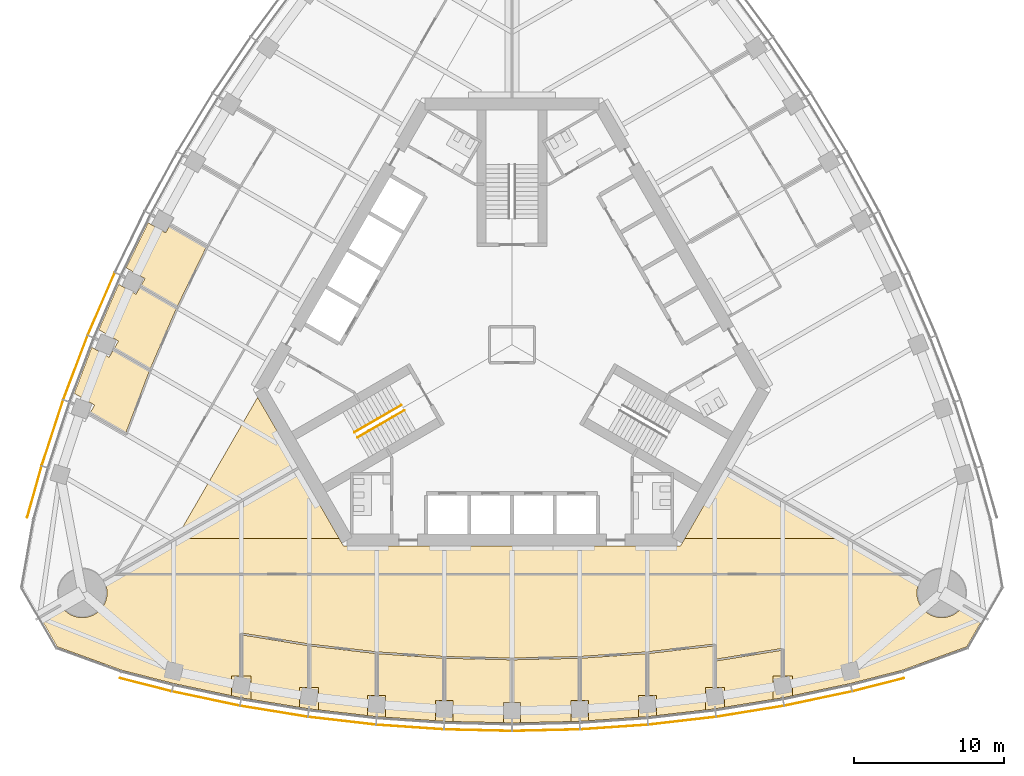
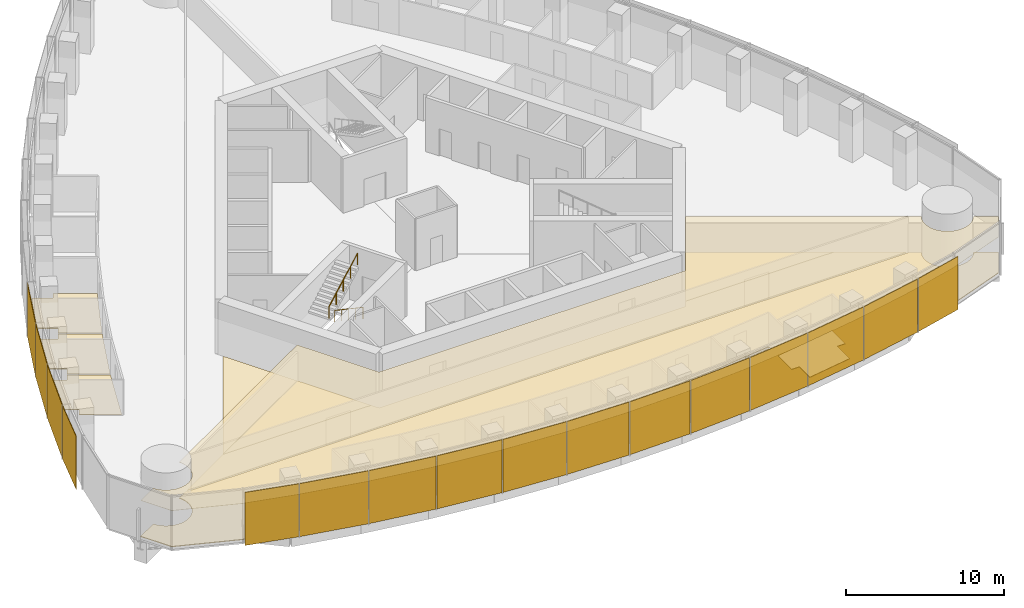
# One storey, part 16 of 20: 17 coverings, 16 shading devices, 2 railings.
"""IFC4 building model written with IfcOpenShell, lengths in metres."""

from ifc_helpers import new_model, si_unit, direction, frame, origin, origin_2d, place, context, subcontext, project, spatial, polyline, rectangle, circle, outline, extrude, material, layer, layer_set, type_object, element, save


model = new_model("IFC4")

# Units and contexts
model_context = context("Model", 3, precision=1e-05, world=origin(), true_north=direction((0.0, 1.0)))
body_context = subcontext(model_context, "Body", "Model", "MODEL_VIEW")
ifc_project = project(units=[si_unit("LENGTHUNIT", "METRE"), si_unit("AREAUNIT", "SQUARE_METRE"), si_unit("VOLUMEUNIT", "CUBIC_METRE"), si_unit("PLANEANGLEUNIT", "RADIAN"), si_unit("MASSUNIT", "GRAM", prefix="KILO")], contexts=[model_context])

# Site, building, storey
site_placement = place(None, origin())
site = spatial("IfcSite", under=ifc_project, at=site_placement, CompositionType="ELEMENT")
building_placement = place(site_placement, origin())
building = spatial("IfcBuilding", under=site, at=building_placement, Name="Trefoil Bronze Tower", CompositionType="ELEMENT")
storey_placement = place(building_placement, frame((0.0, 0.0, 219.10009765625)))
storey = spatial("IfcBuildingStorey", under=building, at=storey_placement, Name="L50", CompositionType="ELEMENT", Elevation=219.10009765625)

# Shading devices
ifc_material_1 = material(Name="Perforated bronze sheet", Category="bronze")
ifc_layer_1 = layer(ifc_material_1, 0.0400390625)
ifc_layer_set_1 = layer_set([ifc_layer_1], Name="Bronze solar screen panel")
shading_device_type = type_object("IfcShadingDeviceType", Name="Bronze solar screen panel", PredefinedType="SHUTTER", material=ifc_layer_set_1)
shading_device_1_placement = place(storey_placement, frame((-24.360107421875, -22.614501953125, 0.0498046875), z_axis=(0.0, 0.0, 1.0), x_axis=(0.968934035393, -0.247319297786, 0.0)))
element("IfcShadingDevice", 1, at=shading_device_1_placement, inside=storey, type_object=shading_device_type, Name="Solar screen CW-A L50 F1 bay 1", PredefinedType="SHUTTER", context=body_context, shape_type="SweptSolid", body=[
    extrude(rectangle(XDim=3.53369140625, YDim=0.0400390625, at=origin_2d()), origin(), (0.0, 0.0, 1.0), 4.10009765625),
])
shading_device_2_placement = place(storey_placement, frame((-20.361572265625, -23.535888671875, 0.0498046875), z_axis=(0.0, 0.0, 1.0), x_axis=(0.978394335897, -0.20674748725, 0.0)))
element("IfcShadingDevice", 2, at=shading_device_2_placement, inside=storey, type_object=shading_device_type, Name="Solar screen CW-A L50 F1 bay 2", PredefinedType="SHUTTER", context=body_context, shape_type="SweptSolid", body=[
    extrude(rectangle(XDim=4.5693359375, YDim=0.0400390625, at=origin_2d()), origin(), (0.0, 0.0, 1.0), 4.10009765625),
])
shading_device_3_placement = place(storey_placement, frame((-15.8369140625, -24.382568359375, 0.0498046875), z_axis=(0.0, 0.0, 1.0), x_axis=(0.986986549528, -0.160802832848, 0.0)))
element("IfcShadingDevice", 3, at=shading_device_3_placement, inside=storey, type_object=shading_device_type, Name="Solar screen CW-A L50 F1 bay 3", PredefinedType="SHUTTER", context=body_context, shape_type="SweptSolid", body=[
    extrude(rectangle(XDim=4.529296875, YDim=0.0400390625, at=origin_2d()), origin(), (0.0, 0.0, 1.0), 4.10009765625),
])
shading_device_4_placement = place(storey_placement, frame((-11.31201171875, -25.0126953125, 0.0498046875), z_axis=(0.0, 0.0, 1.0), x_axis=(0.993381831741, -0.114858767043, 0.0)))
element("IfcShadingDevice", 4, at=shading_device_4_placement, inside=storey, type_object=shading_device_type, Name="Solar screen CW-A L50 F1 bay 4", PredefinedType="SHUTTER", context=body_context, shape_type="SweptSolid", body=[
    extrude(rectangle(XDim=4.5, YDim=0.0400390625, at=origin_2d()), origin(), (0.0, 0.0, 1.0), 4.10009765625),
])
shading_device_5_placement = place(storey_placement, frame((-6.787109375, -25.430419921875, 0.0498046875), z_axis=(0.0, 0.0, 1.0), x_axis=(0.99762252804, -0.068915103905, 0.0)))
element("IfcShadingDevice", 5, at=shading_device_5_placement, inside=storey, type_object=shading_device_type, Name="Solar screen CW-A L50 F1 bay 5", PredefinedType="SHUTTER", context=body_context, shape_type="SweptSolid", body=[
    extrude(rectangle(XDim=4.480712890625, YDim=0.0400390625, at=origin_2d()), origin(), (0.0, 0.0, 1.0), 4.10009765625),
])
for number, where, z_axis, x_axis, name in (
    (6, (-2.262451171875, -25.638671875, 0.0498046875), (0.0, 0.0, 1.0), (0.999736116243, -0.022971675577, 0.0), "Solar screen CW-A L50 F1 bay 6"),
    (7, (2.262451171875, -25.638671875, 0.0498046875), (0.0, 0.0, 1.0), (0.999736116243, 0.022971675577, 0.0), "Solar screen CW-A L50 F1 bay 7"),
):
    element("IfcShadingDevice", number, at=place(storey_placement, frame(where, z_axis=z_axis, x_axis=x_axis)), inside=storey, type_object=shading_device_type, Name=name, PredefinedType="SHUTTER", context=body_context, shape_type="SweptSolid", body=[
        extrude(rectangle(XDim=4.47119140625, YDim=0.0400390625, at=origin_2d()), origin(), (0.0, 0.0, 1.0), 4.10009765625),
    ])
shading_device_6_placement = place(storey_placement, frame((6.787109375, -25.430419921875, 0.0498046875), z_axis=(0.0, 0.0, 1.0), x_axis=(0.99762252804, 0.068915103905, 0.0)))
element("IfcShadingDevice", 8, at=shading_device_6_placement, inside=storey, type_object=shading_device_type, Name="Solar screen CW-A L50 F1 bay 8", PredefinedType="SHUTTER", context=body_context, shape_type="SweptSolid", body=[
    extrude(rectangle(XDim=4.480712890625, YDim=0.0400390625, at=origin_2d()), origin(), (0.0, 0.0, 1.0), 4.10009765625),
])
shading_device_7_placement = place(storey_placement, frame((11.31201171875, -25.0126953125, 0.0498046875), z_axis=(0.0, 0.0, 1.0), x_axis=(0.993381831741, 0.114858767043, 0.0)))
element("IfcShadingDevice", 9, at=shading_device_7_placement, inside=storey, type_object=shading_device_type, Name="Solar screen CW-A L50 F1 bay 9", PredefinedType="SHUTTER", context=body_context, shape_type="SweptSolid", body=[
    extrude(rectangle(XDim=4.5, YDim=0.0400390625, at=origin_2d()), origin(), (0.0, 0.0, 1.0), 4.10009765625),
])
shading_device_8_placement = place(storey_placement, frame((15.8369140625, -24.382568359375, 0.0498046875), z_axis=(0.0, 0.0, 1.0), x_axis=(0.986986549528, 0.160802832848, 0.0)))
element("IfcShadingDevice", 10, at=shading_device_8_placement, inside=storey, type_object=shading_device_type, Name="Solar screen CW-A L50 F1 bay 10", PredefinedType="SHUTTER", context=body_context, shape_type="SweptSolid", body=[
    extrude(rectangle(XDim=4.529296875, YDim=0.0400390625, at=origin_2d()), origin(), (0.0, 0.0, 1.0), 4.10009765625),
])
shading_device_9_placement = place(storey_placement, frame((20.361572265625, -23.535888671875, 0.0498046875), z_axis=(0.0, 0.0, 1.0), x_axis=(0.978394335897, 0.20674748725, 0.0)))
element("IfcShadingDevice", 11, at=shading_device_9_placement, inside=storey, type_object=shading_device_type, Name="Solar screen CW-A L50 F1 bay 11", PredefinedType="SHUTTER", context=body_context, shape_type="SweptSolid", body=[
    extrude(rectangle(XDim=4.5693359375, YDim=0.0400390625, at=origin_2d()), origin(), (0.0, 0.0, 1.0), 4.10009765625),
])
shading_device_10_placement = place(storey_placement, frame((24.360107421875, -22.614501953125, 0.0498046875), z_axis=(0.0, 0.0, 1.0), x_axis=(0.968934035393, 0.247319297786, 0.0)))
element("IfcShadingDevice", 12, at=shading_device_10_placement, inside=storey, type_object=shading_device_type, Name="Solar screen CW-A L50 F1 bay 12", PredefinedType="SHUTTER", context=body_context, shape_type="SweptSolid", body=[
    extrude(rectangle(XDim=3.53369140625, YDim=0.0400390625, at=origin_2d()), origin(), (0.0, 0.0, 1.0), 4.10009765625),
])
shading_device_11_placement = place(storey_placement, frame((-27.317626953125, 2.709716796875, 0.0498046875), z_axis=(0.0, 0.0, 1.0), x_axis=(-0.397220305764, -0.917723285467, 0.0)))
element("IfcShadingDevice", 13, at=shading_device_11_placement, inside=storey, type_object=shading_device_type, Name="Solar screen CW-A L50 F3 bay 9", PredefinedType="SHUTTER", context=body_context, shape_type="SweptSolid", body=[
    extrude(rectangle(XDim=4.5, YDim=0.0400390625, at=origin_2d()), origin(), (0.0, 0.0, 1.0), 4.10009765625),
])
shading_device_12_placement = place(storey_placement, frame((-29.0341796875, -1.52392578125, 0.0498046875), z_axis=(0.0, 0.0, 1.0), x_axis=(-0.354233936517, -0.935156841508, 0.0)))
element("IfcShadingDevice", 14, at=shading_device_12_placement, inside=storey, type_object=shading_device_type, Name="Solar screen CW-A L50 F3 bay 10", PredefinedType="SHUTTER", context=body_context, shape_type="SweptSolid", body=[
    extrude(rectangle(XDim=4.529296875, YDim=0.0400390625, at=origin_2d()), origin(), (0.0, 0.0, 1.0), 4.10009765625),
])
shading_device_13_placement = place(storey_placement, frame((-30.5634765625, -5.86572265625, 0.0498046875), z_axis=(0.0, 0.0, 1.0), x_axis=(-0.310148591821, -0.950688093431, 0.0)))
element("IfcShadingDevice", 15, at=shading_device_13_placement, inside=storey, type_object=shading_device_type, Name="Solar screen CW-A L50 F3 bay 11", PredefinedType="SHUTTER", context=body_context, shape_type="SweptSolid", body=[
    extrude(rectangle(XDim=4.5693359375, YDim=0.0400390625, at=origin_2d()), origin(), (0.0, 0.0, 1.0), 4.10009765625),
])
shading_device_14_placement = place(storey_placement, frame((-31.764892578125, -9.7890625, 0.0498046875), z_axis=(0.0, 0.0, 1.0), x_axis=(-0.270282222968, -0.962781138134, 0.0)))
element("IfcShadingDevice", 16, at=shading_device_14_placement, inside=storey, type_object=shading_device_type, Name="Solar screen CW-A L50 F3 bay 12", PredefinedType="SHUTTER", context=body_context, shape_type="SweptSolid", body=[
    extrude(rectangle(XDim=3.53369140625, YDim=0.0400390625, at=origin_2d()), origin(), (0.0, 0.0, 1.0), 4.10009765625),
])

# Railings
ifc_material_2 = material(Name="Steel handrail", Category="steel")
railing_type = type_object("IfcRailingType", Name="Handrail 900", PredefinedType="HANDRAIL", material=ifc_material_2)
railing_1_placement = place(storey_placement, frame((-7.166015625, -4.3681640625, 0.161376953125)))
element("IfcRailing", 17, at=railing_1_placement, inside=storey, type_object=railing_type, Name="Handrail ST3 flight 1 L50", PredefinedType="HANDRAIL", context=body_context, shape_type="SweptSolid", body=[
    extrude(circle(Radius=0.02392578125, at=origin_2d()), frame((0.0, 0.0, 0.8759765625), z_axis=(-0.76250339821, -0.440245697338, 0.474101564745), x_axis=(0.500012057535, -0.866018442252, 0.0)), (0.0, 0.0, 1.0), 4.088623046875),
    extrude(circle(Radius=0.02099609375, at=origin_2d()), origin(), (0.0, 0.0, 1.0), 0.851806640625),
    extrude(circle(Radius=0.02099609375, at=origin_2d()), frame((-0.779296875, -0.449951171875, 0.484619140625)), (0.0, 0.0, 1.0), 0.851806640625),
    extrude(circle(Radius=0.02099609375, at=origin_2d()), frame((-1.558837890625, -0.89990234375, 0.96923828125)), (0.0, 0.0, 1.0), 0.851806640625),
    extrude(circle(Radius=0.02099609375, at=origin_2d()), frame((-2.33837890625, -1.35009765625, 1.453857421875)), (0.0, 0.0, 1.0), 0.851806640625),
    extrude(circle(Radius=0.02099609375, at=origin_2d()), frame((-3.11767578125, -1.800048828125, 1.9384765625)), (0.0, 0.0, 1.0), 0.851806640625),
])
railing_2_placement = place(storey_placement, frame((-10.483642578125, -5.82177734375, 2.261474609375)))
element("IfcRailing", 18, at=railing_2_placement, inside=storey, type_object=railing_type, Name="Handrail ST3 flight 2 L50", PredefinedType="HANDRAIL", context=body_context, shape_type="SweptSolid", body=[
    extrude(circle(Radius=0.02392578125, at=origin_2d()), frame((0.0, 0.0, 0.8759765625), z_axis=(0.76250339821, 0.440245697338, 0.474101564745), x_axis=(-0.500012057535, 0.866018442252, 0.0)), (0.0, 0.0, 1.0), 4.088623046875),
    extrude(circle(Radius=0.02099609375, at=origin_2d()), origin(), (0.0, 0.0, 1.0), 0.851806640625),
    extrude(circle(Radius=0.02099609375, at=origin_2d()), frame((0.779296875, 0.449951171875, 0.484619140625)), (0.0, 0.0, 1.0), 0.851806640625),
    extrude(circle(Radius=0.02099609375, at=origin_2d()), frame((1.558837890625, 0.89990234375, 0.96923828125)), (0.0, 0.0, 1.0), 0.851806640625),
    extrude(circle(Radius=0.02099609375, at=origin_2d()), frame((2.33837890625, 1.35009765625, 1.453857421875)), (0.0, 0.0, 1.0), 0.851806640625),
    extrude(circle(Radius=0.02099609375, at=origin_2d()), frame((3.11767578125, 1.800048828125, 1.9384765625)), (0.0, 0.0, 1.0), 0.851806640625),
])

# Coverings
ifc_material_3 = material(Name="Acoustic ceiling panels", Category="mineral fibre")
ifc_layer_2 = layer(ifc_material_3, 0.02001953125)
ifc_layer_set_2 = layer_set([ifc_layer_2], Name="Office ceiling 20")
covering_type_1 = type_object("IfcCoveringType", Name="Office ceiling 20", PredefinedType="CEILING", material=ifc_layer_set_2)
covering_1_placement = place(storey_placement, frame((0.0, 0.0, 2.89990234375)))
element("IfcCovering", 19, at=covering_1_placement, inside=storey, type_object=covering_type_1, Name="Ceiling L50 Open-plan office F1", PredefinedType="CEILING", context=body_context, shape_type="SweptSolid", body=[
    extrude(outline(polyline([(-29.95068359375, -17.416748046875), (-29.904052734375, -17.48291015625), (-29.854248046875, -17.546630859375), (-29.801513671875, -17.608154296875), (-29.74560546875, -17.666748046875), (-29.68701171875, -17.72265625), (-29.62548828125, -17.775390625), (-29.561767578125, -17.8251953125), (-29.49560546875, -17.871826171875), (-29.427001953125, -17.915283203125), (-29.356689453125, -17.955078125), (-29.2841796875, -17.99169921875), (-29.210205078125, -18.0244140625), (-29.134765625, -18.053466796875), (-29.057861328125, -18.0791015625), (-28.979736328125, -18.1005859375), (-28.900634765625, -18.118408203125), (-28.82080078125, -18.132080078125), (-28.740478515625, -18.14208984375), (-28.659912109375, -18.14794921875), (-28.578857421875, -18.14990234375), (-28.497802734375, -18.14794921875), (-28.4169921875, -18.14208984375), (-28.336669921875, -18.132080078125), (-28.2568359375, -18.118408203125), (-28.177978515625, -18.1005859375), (-28.099853515625, -18.0791015625), (-28.02294921875, -18.053466796875), (-27.947509765625, -18.0244140625), (-27.873291015625, -17.99169921875), (-27.801025390625, -17.955078125), (-27.730712890625, -17.915283203125), (-27.662109375, -17.871826171875), (-27.595947265625, -17.8251953125), (-27.531982421875, -17.775390625), (-27.470703125, -17.72265625), (-27.412109375, -17.666748046875), (-27.356201171875, -17.608154296875), (-27.303466796875, -17.546630859375), (-27.25341796875, -17.48291015625), (-27.206787109375, -17.416748046875), (-27.16357421875, -17.348388671875), (-27.123779296875, -17.27783203125), (-27.08740234375, -17.20556640625), (-27.054443359375, -17.13134765625), (-27.025390625, -17.055908203125), (-27.0, -16.97900390625), (-26.978271484375, -16.90087890625), (-26.96044921875, -16.822021484375), (-26.94677734375, -16.7421875), (-26.936767578125, -16.66162109375), (-26.930908203125, -16.5810546875), (-26.9287109375, -16.5), (-26.930908203125, -16.4189453125), (-26.936767578125, -16.33837890625), (-26.94677734375, -16.2578125), (-26.96044921875, -16.177978515625), (-26.978271484375, -16.09912109375), (-27.0, -16.02099609375), (-27.025390625, -15.944091796875), (-27.054443359375, -15.86865234375), (-27.08740234375, -15.79443359375), (-27.123779296875, -15.72216796875), (-27.14453125, -15.685546875), (-14.19970703125, -8.205322265625), (-11.20068359375, -13.39990234375), (11.20068359375, -13.39990234375), (14.19970703125, -8.205322265625), (27.14453125, -15.685546875), (27.123779296875, -15.72216796875), (27.08740234375, -15.79443359375), (27.054443359375, -15.86865234375), (27.025390625, -15.944091796875), (27.0, -16.02099609375), (26.978271484375, -16.09912109375), (26.96044921875, -16.177978515625), (26.94677734375, -16.2578125), (26.936767578125, -16.33837890625), (26.930908203125, -16.4189453125), (26.9287109375, -16.5), (26.930908203125, -16.5810546875), (26.936767578125, -16.66162109375), (26.94677734375, -16.7421875), (26.96044921875, -16.822021484375), (26.978271484375, -16.90087890625), (27.0, -16.97900390625), (27.025390625, -17.055908203125), (27.054443359375, -17.13134765625), (27.08740234375, -17.20556640625), (27.123779296875, -17.27783203125), (27.16357421875, -17.348388671875), (27.206787109375, -17.416748046875), (27.25341796875, -17.48291015625), (27.303466796875, -17.546630859375), (27.356201171875, -17.608154296875), (27.412109375, -17.666748046875), (27.470703125, -17.72265625), (27.531982421875, -17.775390625), (27.595947265625, -17.8251953125), (27.662109375, -17.871826171875), (27.730712890625, -17.915283203125), (27.801025390625, -17.955078125), (27.873291015625, -17.99169921875), (27.947509765625, -18.0244140625), (28.02294921875, -18.053466796875), (28.099853515625, -18.0791015625), (28.177978515625, -18.1005859375), (28.2568359375, -18.118408203125), (28.336669921875, -18.132080078125), (28.4169921875, -18.14208984375), (28.497802734375, -18.14794921875), (28.578857421875, -18.14990234375), (28.659912109375, -18.14794921875), (28.740478515625, -18.14208984375), (28.82080078125, -18.132080078125), (28.900634765625, -18.118408203125), (28.979736328125, -18.1005859375), (29.057861328125, -18.0791015625), (29.134765625, -18.053466796875), (29.210205078125, -18.0244140625), (29.2841796875, -17.99169921875), (29.356689453125, -17.955078125), (29.427001953125, -17.915283203125), (29.49560546875, -17.871826171875), (29.561767578125, -17.8251953125), (29.62548828125, -17.775390625), (29.68701171875, -17.72265625), (29.74560546875, -17.666748046875), (29.801513671875, -17.608154296875), (29.854248046875, -17.546630859375), (29.904052734375, -17.48291015625), (29.95068359375, -17.416748046875), (30.0009765625, -17.336181640625), (31.37158203125, -18.1279296875), (30.23828125, -20.0908203125), (25.952880859375, -21.650634765625), (22.5, -22.531982421875), (18.0, -23.48291015625), (13.5, -24.216064453125), (9.0, -24.736328125), (4.5, -25.047119140625), (0.0, -25.150634765625), (-4.5, -25.047119140625), (-9.0, -24.736328125), (-13.5, -24.216064453125), (-18.0, -23.48291015625), (-22.5, -22.531982421875), (-25.952880859375, -21.650634765625), (-30.23828125, -20.0908203125), (-31.37158203125, -18.1279296875), (-30.0009765625, -17.336181640625), (-29.95068359375, -17.416748046875)])), origin(), (0.0, 0.0, 1.0), 0.02001953125),
])
ifc_material_4 = material(Name="Raised access floor panels", Category="steel")
ifc_layer_3 = layer(ifc_material_4, 0.050048828125)
ifc_layer_set_3 = layer_set([ifc_layer_3], Name="Raised access floor 150")
covering_type_2 = type_object("IfcCoveringType", Name="Raised access floor 150", PredefinedType="FLOORING", material=ifc_layer_set_3)
covering_2_placement = place(storey_placement, frame((0.0, 0.0, 0.099853515625)))
element("IfcCovering", 20, at=covering_2_placement, inside=storey, type_object=covering_type_2, Name="Raised floor L50 Office F1", PredefinedType="FLOORING", context=body_context, shape_type="SweptSolid", body=[
    extrude(outline(polyline([(-17.93994140625, -22.026123046875), (-17.93994140625, -19.303466796875), (-13.56005859375, -20.01708984375), (-13.56005859375, -22.78662109375), (-14.12158203125, -22.78662109375), (-14.12158203125, -24.11474609375), (-17.357177734375, -23.587646484375), (-17.357177734375, -22.026123046875), (-17.93994140625, -22.026123046875)])), origin(), (0.0, 0.0, 1.0), 0.050048828125),
])
covering_3_placement = place(storey_placement, frame((0.0, 0.0, 0.099853515625)))
element("IfcCovering", 21, at=covering_3_placement, inside=storey, type_object=covering_type_2, Name="Raised floor L50 Office F1", PredefinedType="FLOORING", context=body_context, shape_type="SweptSolid", body=[
    extrude(outline(polyline([(-13.43994140625, -22.78662109375), (-13.43994140625, -20.033447265625), (-9.06005859375, -20.539794921875), (-9.06005859375, -23.333740234375), (-9.599365234375, -23.333740234375), (-9.599365234375, -24.6669921875), (-12.87841796875, -24.2880859375), (-12.87841796875, -22.78662109375), (-13.43994140625, -22.78662109375)])), origin(), (0.0, 0.0, 1.0), 0.050048828125),
])
covering_4_placement = place(storey_placement, frame((0.0, 0.0, 0.099853515625)))
element("IfcCovering", 22, at=covering_4_placement, inside=storey, type_object=covering_type_2, Name="Raised floor L50 Office F1", PredefinedType="FLOORING", context=body_context, shape_type="SweptSolid", body=[
    extrude(outline(polyline([(-8.93994140625, -23.333740234375), (-8.93994140625, -20.55078125), (-4.56005859375, -20.853271484375), (-4.56005859375, -23.665771484375), (-4.5, -23.665771484375), (-4.5, -23.670654296875), (-5.07568359375, -23.670654296875), (-5.07568359375, -25.007568359375), (-8.400634765625, -24.77783203125), (-8.400634765625, -23.333740234375), (-8.93994140625, -23.333740234375)])), origin(), (0.0, 0.0, 1.0), 0.050048828125),
])
covering_5_placement = place(storey_placement, frame((0.0, 0.0, 0.099853515625)))
element("IfcCovering", 23, at=covering_5_placement, inside=storey, type_object=covering_type_2, Name="Raised floor L50 Office F1", PredefinedType="FLOORING", context=body_context, shape_type="SweptSolid", body=[
    extrude(outline(polyline([(-4.5, -23.665771484375), (-4.43994140625, -23.665771484375), (-4.43994140625, -20.858642578125), (-0.06005859375, -20.959228515625), (-0.06005859375, -23.7705078125), (0.0, -23.7705078125), (0.0, -23.799560546875), (-0.551025390625, -23.799560546875), (-0.551025390625, -25.137939453125), (-3.92431640625, -25.060546875), (-3.92431640625, -23.670654296875), (-4.5, -23.670654296875), (-4.5, -23.665771484375)])), origin(), (0.0, 0.0, 1.0), 0.050048828125),
])
covering_6_placement = place(storey_placement, frame((0.0, 0.0, 0.099853515625)))
element("IfcCovering", 24, at=covering_6_placement, inside=storey, type_object=covering_type_2, Name="Raised floor L50 Office F1", PredefinedType="FLOORING", context=body_context, shape_type="SweptSolid", body=[
    extrude(outline(polyline([(0.0, -23.7705078125), (0.06005859375, -23.7705078125), (0.06005859375, -20.959228515625), (4.43994140625, -20.858642578125), (4.43994140625, -23.665771484375), (4.5, -23.665771484375), (4.5, -23.670654296875), (3.92431640625, -23.670654296875), (3.92431640625, -25.060546875), (0.551025390625, -25.137939453125), (0.551025390625, -23.799560546875), (0.0, -23.799560546875), (0.0, -23.7705078125)])), origin(), (0.0, 0.0, 1.0), 0.050048828125),
])
covering_7_placement = place(storey_placement, frame((0.0, 0.0, 0.099853515625)))
element("IfcCovering", 25, at=covering_7_placement, inside=storey, type_object=covering_type_2, Name="Raised floor L50 Meeting room F1", PredefinedType="FLOORING", context=body_context, shape_type="SweptSolid", body=[
    extrude(outline(polyline([(4.5, -23.665771484375), (4.56005859375, -23.665771484375), (4.56005859375, -20.853271484375), (8.93994140625, -20.55078125), (8.93994140625, -23.333740234375), (8.400634765625, -23.333740234375), (8.400634765625, -24.77783203125), (5.07568359375, -25.007568359375), (5.07568359375, -23.670654296875), (4.5, -23.670654296875), (4.5, -23.665771484375)])), origin(), (0.0, 0.0, 1.0), 0.050048828125),
])
covering_8_placement = place(storey_placement, frame((0.0, 0.0, 0.099853515625)))
element("IfcCovering", 26, at=covering_8_placement, inside=storey, type_object=covering_type_2, Name="Raised floor L50 Meeting room F1", PredefinedType="FLOORING", context=body_context, shape_type="SweptSolid", body=[
    extrude(outline(polyline([(9.06005859375, -20.539794921875), (13.43994140625, -20.033447265625), (13.43994140625, -22.78662109375), (12.87841796875, -22.78662109375), (12.87841796875, -24.2880859375), (9.599365234375, -24.6669921875), (9.599365234375, -23.333740234375), (9.06005859375, -23.333740234375), (9.06005859375, -20.539794921875)])), origin(), (0.0, 0.0, 1.0), 0.050048828125),
])
covering_9_placement = place(storey_placement, frame((0.0, 0.0, 0.099853515625)))
element("IfcCovering", 27, at=covering_9_placement, inside=storey, type_object=covering_type_2, Name="Raised floor L50 Pantry F1", PredefinedType="FLOORING", context=body_context, shape_type="SweptSolid", body=[
    extrude(outline(polyline([(13.56005859375, -21.037109375), (17.93994140625, -20.323486328125), (17.93994140625, -22.026123046875), (17.357177734375, -22.026123046875), (17.357177734375, -23.587646484375), (14.12158203125, -24.11474609375), (14.12158203125, -22.78662109375), (13.56005859375, -22.78662109375), (13.56005859375, -21.037109375)])), origin(), (0.0, 0.0, 1.0), 0.050048828125),
])
covering_10_placement = place(storey_placement, frame((0.0, 0.0, 0.099853515625)))
element("IfcCovering", 28, at=covering_10_placement, inside=storey, type_object=covering_type_2, Name="Raised floor L50 Corridor F1", PredefinedType="FLOORING", context=body_context, shape_type="SweptSolid", body=[
    extrude(outline(polyline([(26.304443359375, -15.199951171875), (-26.304443359375, -15.199951171875), (-22.32421875, -12.89990234375), (-11.4892578125, -12.89990234375), (-11.20068359375, -13.39990234375), (11.20068359375, -13.39990234375), (11.4892578125, -12.89990234375), (22.32421875, -12.89990234375), (26.304443359375, -15.199951171875)])), origin(), (0.0, 0.0, 1.0), 0.050048828125),
])
covering_11_placement = place(storey_placement, frame((0.0, 0.0, 0.099853515625)))
element("IfcCovering", 29, at=covering_11_placement, inside=storey, type_object=covering_type_2, Name="Raised floor L50 Open-plan office F1", PredefinedType="FLOORING", context=body_context, shape_type="SweptSolid", body=[
    extrude(outline(polyline([(-27.123779296875, -15.72216796875), (-27.14453125, -15.685546875), (-26.398193359375, -15.254150390625), (-26.398193359375, -15.320068359375), (26.398193359375, -15.320068359375), (26.398193359375, -15.254150390625), (27.14453125, -15.685546875), (27.123779296875, -15.72216796875), (27.08740234375, -15.79443359375), (27.054443359375, -15.86865234375), (27.025390625, -15.944091796875), (27.0, -16.02099609375), (26.978271484375, -16.09912109375), (26.96044921875, -16.177978515625), (26.94677734375, -16.2578125), (26.936767578125, -16.33837890625), (26.930908203125, -16.4189453125), (26.9287109375, -16.5), (26.930908203125, -16.5810546875), (26.936767578125, -16.66162109375), (26.94677734375, -16.7421875), (26.96044921875, -16.822021484375), (26.978271484375, -16.90087890625), (27.0, -16.97900390625), (27.025390625, -17.055908203125), (27.054443359375, -17.13134765625), (27.08740234375, -17.20556640625), (27.123779296875, -17.27783203125), (27.16357421875, -17.348388671875), (27.206787109375, -17.416748046875), (27.25341796875, -17.48291015625), (27.303466796875, -17.546630859375), (27.356201171875, -17.608154296875), (27.412109375, -17.666748046875), (27.470703125, -17.72265625), (27.531982421875, -17.775390625), (27.595947265625, -17.8251953125), (27.662109375, -17.871826171875), (27.730712890625, -17.915283203125), (27.801025390625, -17.955078125), (27.873291015625, -17.99169921875), (27.947509765625, -18.0244140625), (28.02294921875, -18.053466796875), (28.099853515625, -18.0791015625), (28.177978515625, -18.1005859375), (28.2568359375, -18.118408203125), (28.336669921875, -18.132080078125), (28.4169921875, -18.14208984375), (28.497802734375, -18.14794921875), (28.578857421875, -18.14990234375), (28.659912109375, -18.14794921875), (28.740478515625, -18.14208984375), (28.82080078125, -18.132080078125), (28.900634765625, -18.118408203125), (28.979736328125, -18.1005859375), (29.057861328125, -18.0791015625), (29.134765625, -18.053466796875), (29.210205078125, -18.0244140625), (29.2841796875, -17.99169921875), (29.356689453125, -17.955078125), (29.427001953125, -17.915283203125), (29.49560546875, -17.871826171875), (29.561767578125, -17.8251953125), (29.62548828125, -17.775390625), (29.68701171875, -17.72265625), (29.74560546875, -17.666748046875), (29.801513671875, -17.608154296875), (29.854248046875, -17.546630859375), (29.904052734375, -17.48291015625), (29.95068359375, -17.416748046875), (30.0009765625, -17.336181640625), (31.37158203125, -18.1279296875), (30.23828125, -20.0908203125), (25.952880859375, -21.650634765625), (22.5, -22.531982421875), (18.642822265625, -23.34716796875), (18.642822265625, -22.026123046875), (18.06005859375, -22.026123046875), (18.06005859375, -20.2529296875), (18.0, -20.2529296875), (17.990478515625, -20.193603515625), (13.56005859375, -20.91552734375), (13.56005859375, -19.966064453125), (13.5, -19.966064453125), (13.4931640625, -19.906494140625), (8.994384765625, -20.426513671875), (4.497314453125, -20.7373046875), (0.0, -20.840576171875), (-4.497314453125, -20.7373046875), (-8.994384765625, -20.426513671875), (-13.49169921875, -19.906494140625), (-17.990478515625, -19.173583984375), (-18.0, -19.23291015625), (-18.06005859375, -19.23291015625), (-18.06005859375, -22.026123046875), (-18.642822265625, -22.026123046875), (-18.642822265625, -23.34716796875), (-22.5, -22.531982421875), (-25.952880859375, -21.650634765625), (-30.23828125, -20.0908203125), (-31.37158203125, -18.1279296875), (-30.0009765625, -17.336181640625), (-29.95068359375, -17.416748046875), (-29.904052734375, -17.48291015625), (-29.854248046875, -17.546630859375), (-29.801513671875, -17.608154296875), (-29.74560546875, -17.666748046875), (-29.68701171875, -17.72265625), (-29.62548828125, -17.775390625), (-29.561767578125, -17.8251953125), (-29.49560546875, -17.871826171875), (-29.427001953125, -17.915283203125), (-29.356689453125, -17.955078125), (-29.2841796875, -17.99169921875), (-29.210205078125, -18.0244140625), (-29.134765625, -18.053466796875), (-29.057861328125, -18.0791015625), (-28.979736328125, -18.1005859375), (-28.900634765625, -18.118408203125), (-28.82080078125, -18.132080078125), (-28.740478515625, -18.14208984375), (-28.659912109375, -18.14794921875), (-28.578857421875, -18.14990234375), (-28.497802734375, -18.14794921875), (-28.4169921875, -18.14208984375), (-28.336669921875, -18.132080078125), (-28.2568359375, -18.118408203125), (-28.177978515625, -18.1005859375), (-28.099853515625, -18.0791015625), (-28.02294921875, -18.053466796875), (-27.947509765625, -18.0244140625), (-27.873291015625, -17.99169921875), (-27.801025390625, -17.955078125), (-27.730712890625, -17.915283203125), (-27.662109375, -17.871826171875), (-27.595947265625, -17.8251953125), (-27.531982421875, -17.775390625), (-27.470703125, -17.72265625), (-27.412109375, -17.666748046875), (-27.356201171875, -17.608154296875), (-27.303466796875, -17.546630859375), (-27.25341796875, -17.48291015625), (-27.206787109375, -17.416748046875), (-27.16357421875, -17.348388671875), (-27.123779296875, -17.27783203125), (-27.08740234375, -17.20556640625), (-27.054443359375, -17.13134765625), (-27.025390625, -17.055908203125), (-27.0, -16.97900390625), (-26.978271484375, -16.90087890625), (-26.96044921875, -16.822021484375), (-26.94677734375, -16.7421875), (-26.936767578125, -16.66162109375), (-26.930908203125, -16.5810546875), (-26.9287109375, -16.5), (-26.930908203125, -16.4189453125), (-26.936767578125, -16.33837890625), (-26.94677734375, -16.2578125), (-26.96044921875, -16.177978515625), (-26.978271484375, -16.09912109375), (-27.0, -16.02099609375), (-27.025390625, -15.944091796875), (-27.054443359375, -15.86865234375), (-27.08740234375, -15.79443359375), (-27.123779296875, -15.72216796875)])), origin(), (0.0, 0.0, 1.0), 0.050048828125),
])
covering_12_placement = place(storey_placement, frame((0.0, 0.0, 0.099853515625)))
element("IfcCovering", 30, at=covering_12_placement, inside=storey, type_object=covering_type_2, Name="Raised floor L50 Open-plan office F1", PredefinedType="FLOORING", context=body_context, shape_type="SweptSolid", body=[
    extrude(outline(polyline([(14.19970703125, -8.205322265625), (22.32421875, -12.89990234375), (11.4892578125, -12.89990234375), (14.19970703125, -8.205322265625)])), origin(), (0.0, 0.0, 1.0), 0.050048828125),
])
covering_13_placement = place(storey_placement, frame((0.0, 0.0, 0.099853515625)))
element("IfcCovering", 31, at=covering_13_placement, inside=storey, type_object=covering_type_2, Name="Raised floor L50 Open-plan office F1", PredefinedType="FLOORING", context=body_context, shape_type="SweptSolid", body=[
    extrude(outline(polyline([(-22.32421875, -12.89990234375), (-14.19970703125, -8.205322265625), (-11.4892578125, -12.89990234375), (-22.32421875, -12.89990234375)])), origin(), (0.0, 0.0, 1.0), 0.050048828125),
])
covering_14_placement = place(storey_placement, frame((0.0, 0.0, 0.099853515625)))
element("IfcCovering", 32, at=covering_14_placement, inside=storey, type_object=covering_type_2, Name="Raised floor L50 Office F3", PredefinedType="FLOORING", context=body_context, shape_type="SweptSolid", body=[
    extrude(outline(polyline([(-22.7451171875, 7.935791015625), (-22.775146484375, 7.8837890625), (-20.33935546875, 6.4775390625), (-22.267333984375, 2.533203125), (-24.677490234375, 3.924560546875), (-24.407958984375, 4.3916015625), (-25.658447265625, 5.11376953125), (-24.195068359375, 8.10791015625), (-23.037353515625, 7.439697265625), (-22.74951171875, 7.938232421875), (-22.7451171875, 7.935791015625)])), origin(), (0.0, 0.0, 1.0), 0.050048828125),
])
covering_15_placement = place(storey_placement, frame((0.0, 0.0, 0.099853515625)))
element("IfcCovering", 33, at=covering_15_placement, inside=storey, type_object=covering_type_2, Name="Raised floor L50 Meeting room F3", PredefinedType="FLOORING", context=body_context, shape_type="SweptSolid", body=[
    extrude(outline(polyline([(-22.318115234375, 2.423583984375), (-24.0693359375, -1.622802734375), (-26.453857421875, -0.24609375), (-26.173095703125, 0.240478515625), (-27.47314453125, 0.990966796875), (-26.162109375, 4.020263671875), (-25.007080078125, 3.353515625), (-24.737548828125, 3.820556640625), (-22.318115234375, 2.423583984375)])), origin(), (0.0, 0.0, 1.0), 0.050048828125),
])
covering_16_placement = place(storey_placement, frame((0.0, 0.0, 0.099853515625)))
element("IfcCovering", 34, at=covering_16_placement, inside=storey, type_object=covering_type_2, Name="Raised floor L50 Meeting room F3", PredefinedType="FLOORING", context=body_context, shape_type="SweptSolid", body=[
    extrude(outline(polyline([(-24.115234375, -1.73486328125), (-25.687255859375, -5.884765625), (-28.045166015625, -4.5234375), (-27.75390625, -4.0185546875), (-29.106201171875, -3.23779296875), (-27.94482421875, -0.17236328125), (-26.794677734375, -0.83642578125), (-26.513916015625, -0.35009765625), (-24.115234375, -1.73486328125)])), origin(), (0.0, 0.0, 1.0), 0.050048828125),
])
covering_17_placement = place(storey_placement, frame((0.0, 0.0, 0.099853515625)))
element("IfcCovering", 35, at=covering_17_placement, inside=storey, type_object=covering_type_2, Name="Raised floor L50 Open-plan office F3", PredefinedType="FLOORING", context=body_context, shape_type="SweptSolid", body=[
    extrude(outline(polyline([(-16.91650390625, -3.5), (-14.205810546875, -8.194580078125), (-22.333740234375, -12.88330078125), (-16.91650390625, -3.5)])), origin(), (0.0, 0.0, 1.0), 0.050048828125),
])

save(model, "model.ifc")
